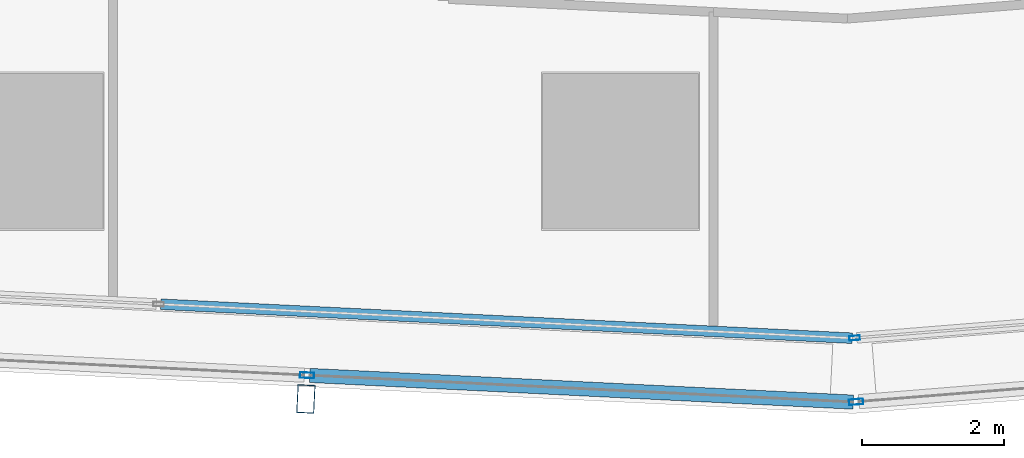
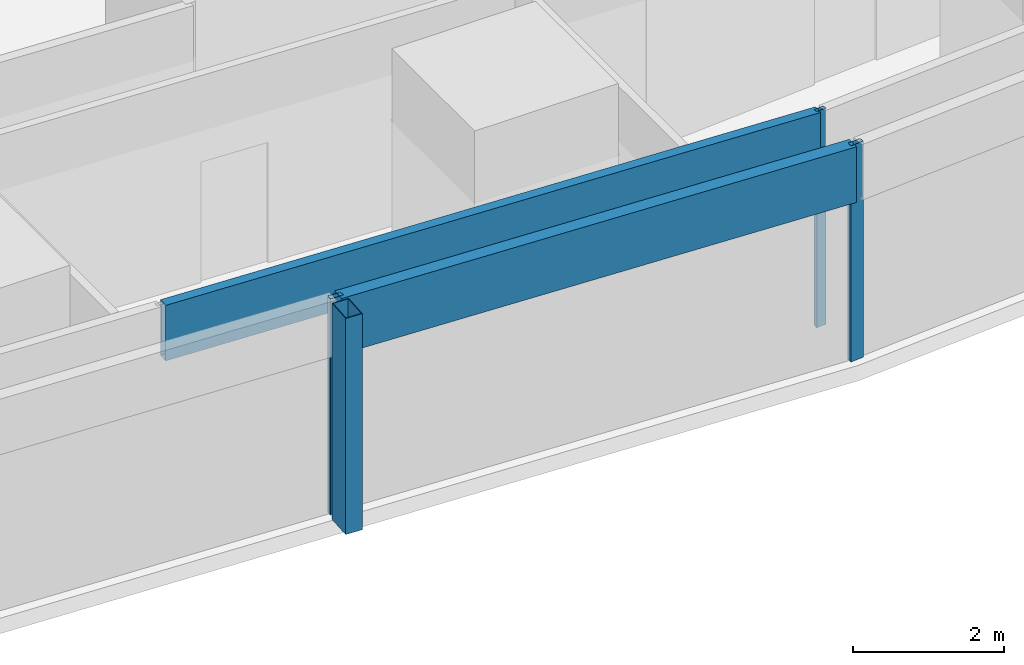
# One storey, part 9 of 45: 6 members, 4 elements without a shape of their own.
"""IFC4 building model written with IfcOpenShell, lengths in metres."""

from ifc_helpers import new_model, si_unit, direction, frame, origin, origin_2d, place, context, subcontext, project, spatial, hollow_rectangle, extrude, material, material_profile, profile_set, type_object, element, aggregate, save


model = new_model("IFC4")

# Units and contexts
model_context = context("Model", 3, precision=1e-05, world=origin(), true_north=direction((0.0, 1.0)))
body_context = subcontext(model_context, "Body", "Model", "MODEL_VIEW")
ifc_project = project(units=[si_unit("LENGTHUNIT", "METRE"), si_unit("AREAUNIT", "SQUARE_METRE"), si_unit("VOLUMEUNIT", "CUBIC_METRE"), si_unit("PLANEANGLEUNIT", "RADIAN"), si_unit("MASSUNIT", "GRAM", prefix="KILO")], contexts=[model_context])

# Site, building, storey
site_placement = place(None, origin())
site = spatial("IfcSite", under=ifc_project, at=site_placement, CompositionType="ELEMENT")
building_placement = place(site_placement, origin())
building = spatial("IfcBuilding", under=site, at=building_placement, Name="Rekha Terrace Tower", CompositionType="ELEMENT")
storey_placement = place(building_placement, frame((0.0, 0.0, 36.64990234375)))
storey = spatial("IfcBuildingStorey", under=building, at=storey_placement, Name="L08", CompositionType="ELEMENT", Elevation=36.64990234375)

# Curtain wall, member
ifc_material_1 = material(Name="Aluminium framing", Category="aluminium")
curtain_wall_type_1 = type_object("IfcCurtainWallType", Name="CW2 double skin outer glazing", PredefinedType="USERDEFINED", material=ifc_material_1)
curtain_wall_1_placement = place(storey_placement, origin())
curtain_wall_1 = element("IfcCurtainWall", 1, at=curtain_wall_1_placement, inside=storey, type_object=curtain_wall_type_1, Name="CW2 double skin outer glazing", ObjectType="DOUBLE SKIN OUTER GLAZING", PredefinedType="USERDEFINED")
ifc_material_2 = material(Name="Steel S355 with fluorocarbon finish", Category="steel")
ifc_material_profile_1 = material_profile(ifc_material_2, hollow_rectangle(XDim=0.25, YDim=0.39990234375, WallThickness=0.012451171875, at=origin_2d()), Name="RHS400x250x12.5")
ifc_profile_set_1 = profile_set([ifc_material_profile_1], Name="Steel S355 with fluorocarbon finish")
member_type_1 = type_object("IfcMemberType", Name="BL1 facade blade RHS 400 x 250", PredefinedType="USERDEFINED", material=ifc_profile_set_1)
member_1_placement = place(storey_placement, frame((37.562744140625, 4.904296875, 0.0), z_axis=(0.0, 0.0, 1.0), x_axis=(0.998796226835, -0.049051985279, 0.0)))
member_1 = element("IfcMember", 2, at=member_1_placement, type_object=member_type_1, Name="Facade blade", ObjectType="FACADE BLADE", PredefinedType="USERDEFINED", context=body_context, shape_type="SweptSolid", body=[
    extrude(hollow_rectangle(XDim=0.25, YDim=0.39990234375, WallThickness=0.012451171875, at=origin_2d()), origin(), (0.0, 0.0, 1.0), 3.5),
])

curtain_wall_type_2 = type_object("IfcCurtainWallType", Name="CW1 double skin inner glazing", PredefinedType="USERDEFINED", material=ifc_material_1)
curtain_wall_2_placement = place(storey_placement, origin())
curtain_wall_2 = element("IfcCurtainWall", 3, at=curtain_wall_2_placement, inside=storey, type_object=curtain_wall_type_2, Name="CW1 double skin inner glazing", ObjectType="DOUBLE SKIN INNER GLAZING", PredefinedType="USERDEFINED")
ifc_material_3 = material(Name="Aluminium mullion section", Category="aluminium")
ifc_material_profile_2 = material_profile(ifc_material_3, hollow_rectangle(XDim=0.06494140625, YDim=0.14990234375, WallThickness=0.00390625, at=origin_2d()), Name="AL RHS 65x150")
ifc_profile_set_2 = profile_set([ifc_material_profile_2], Name="Aluminium mullion section")
member_type_2 = type_object("IfcMemberType", Name="CW1 mullion RHS 65 x 150", PredefinedType="MULLION", material=ifc_profile_set_2)
member_2_placement = place(storey_placement, frame((45.303955078125, 5.7646484375, 0.0), z_axis=(0.0, 0.0, 1.0), x_axis=(-0.079872204468, 0.996805111821, 0.0)))
member_2 = element("IfcMember", 4, at=member_2_placement, type_object=member_type_2, Name="CW1 mullion 1", PredefinedType="MULLION", context=body_context, shape_type="SweptSolid", body=[
    extrude(hollow_rectangle(XDim=0.06494140625, YDim=0.14990234375, WallThickness=0.00390625, at=origin_2d()), origin(), (0.0, 0.0, 1.0), 3.5),
])
aggregate(curtain_wall_2, [member_2])

curtain_wall_3_placement = place(storey_placement, origin())
curtain_wall_3 = element("IfcCurtainWall", 5, at=curtain_wall_3_placement, inside=storey, type_object=curtain_wall_type_2, Name="CW1 double skin inner glazing", ObjectType="DOUBLE SKIN INNER GLAZING", PredefinedType="USERDEFINED")
ifc_material_4 = material(Name="Insulated aluminium spandrel box", Category="aluminium")
ifc_material_profile_3 = material_profile(ifc_material_4, hollow_rectangle(XDim=0.14990234375, YDim=0.89990234375, WallThickness=0.0029296875, at=origin_2d()), Name="AL SPANDREL BOX 150x900")
ifc_profile_set_3 = profile_set([ifc_material_profile_3], Name="Insulated aluminium spandrel box")
member_type_3 = type_object("IfcMemberType", Name="CW1 spandrel transom 150 x 900", PredefinedType="USERDEFINED", material=ifc_profile_set_3)
member_3_placement = place(storey_placement, frame((35.516357421875, 6.2412109375, 3.050048828125), z_axis=(0.998795409084, -0.049068633482, 0.0), x_axis=(0.049068633482, 0.998795409084, 0.0)))
member_3 = element("IfcMember", 6, at=member_3_placement, type_object=member_type_3, Name="CW1 spandrel transom 3", ObjectType="TRANSOM", PredefinedType="USERDEFINED", context=body_context, shape_type="SweptSolid", body=[
    extrude(hollow_rectangle(XDim=0.14990234375, YDim=0.89990234375, WallThickness=0.0029296875, at=origin_2d()), origin(), (0.0, 0.0, 1.0), 9.766845703125),
])
aggregate(curtain_wall_3, [member_3])

# Member
ifc_material_profile_4 = material_profile(ifc_material_3, hollow_rectangle(XDim=0.080078125, YDim=0.199951171875, WallThickness=0.00390625, at=origin_2d()), Name="AL RHS 80x200")
ifc_profile_set_4 = profile_set([ifc_material_profile_4], Name="Aluminium mullion section")
member_type_4 = type_object("IfcMemberType", Name="CW2 mullion RHS 80 x 200", PredefinedType="MULLION", material=ifc_profile_set_4)
member_4_placement = place(storey_placement, frame((37.5791015625, 5.23876953125, 0.0), z_axis=(0.0, 0.0, 1.0), x_axis=(0.049051717746, 0.998796239974, 0.0)))
member_4 = element("IfcMember", 7, at=member_4_placement, type_object=member_type_4, Name="CW2 mullion 5", PredefinedType="MULLION", context=body_context, shape_type="SweptSolid", body=[
    extrude(hollow_rectangle(XDim=0.080078125, YDim=0.199951171875, WallThickness=0.00390625, at=origin_2d()), origin(), (0.0, 0.0, 1.0), 3.5),
])

# Curtain wall, member
curtain_wall_4_placement = place(storey_placement, origin())
curtain_wall_4 = element("IfcCurtainWall", 8, at=curtain_wall_4_placement, inside=storey, type_object=curtain_wall_type_1, Name="CW2 double skin outer glazing", ObjectType="DOUBLE SKIN OUTER GLAZING", PredefinedType="USERDEFINED")
member_5_placement = place(storey_placement, frame((45.325439453125, 4.863525390625, 0.0), z_axis=(0.0, 0.0, 1.0), x_axis=(-0.079872204468, 0.996805111821, 0.0)))
member_5 = element("IfcMember", 9, at=member_5_placement, type_object=member_type_4, Name="CW2 mullion 1", PredefinedType="MULLION", context=body_context, shape_type="SweptSolid", body=[
    extrude(hollow_rectangle(XDim=0.080078125, YDim=0.199951171875, WallThickness=0.00390625, at=origin_2d()), origin(), (0.0, 0.0, 1.0), 3.5),
])
aggregate(curtain_wall_4, [member_5])

# Member
ifc_material_profile_5 = material_profile(ifc_material_4, hollow_rectangle(XDim=0.199951171875, YDim=0.89990234375, WallThickness=0.0029296875, at=origin_2d()), Name="AL SPANDREL BOX 200x900")
ifc_profile_set_5 = profile_set([ifc_material_profile_5], Name="Insulated aluminium spandrel box")
member_type_5 = type_object("IfcMemberType", Name="CW2 spandrel transom 200 x 900", PredefinedType="USERDEFINED", material=ifc_profile_set_5)
member_6_placement = place(storey_placement, frame((37.619140625, 5.23681640625, 3.050048828125), z_axis=(0.998796518042, -0.049046055373, 0.0), x_axis=(0.049046055373, 0.998796518042, 0.0)))
member_6 = element("IfcMember", 10, at=member_6_placement, type_object=member_type_5, Name="CW2 spandrel transom 5", ObjectType="TRANSOM", PredefinedType="USERDEFINED", context=body_context, shape_type="SweptSolid", body=[
    extrude(hollow_rectangle(XDim=0.199951171875, YDim=0.89990234375, WallThickness=0.0029296875, at=origin_2d()), origin(), (0.0, 0.0, 1.0), 7.67578125),
])

aggregate(curtain_wall_1, [member_4, member_6, member_1])

save(model, "model.ifc")
